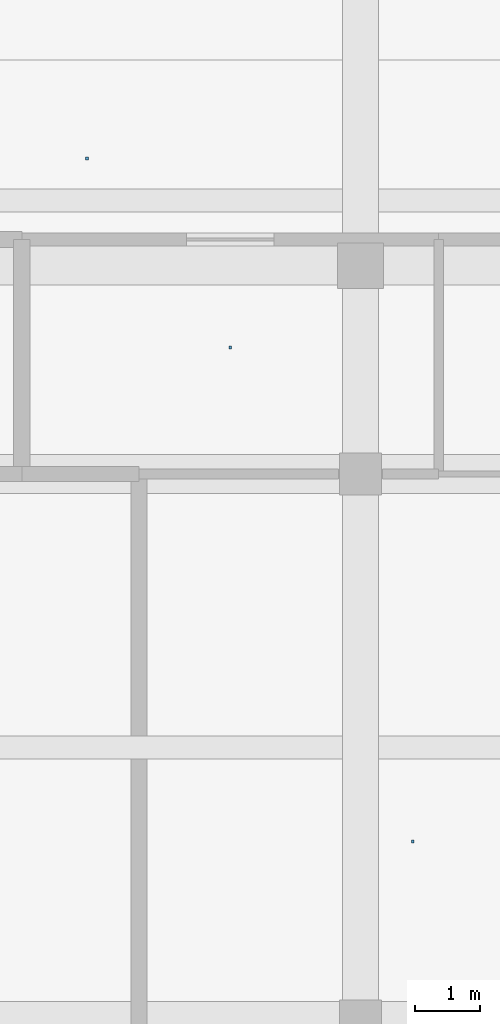
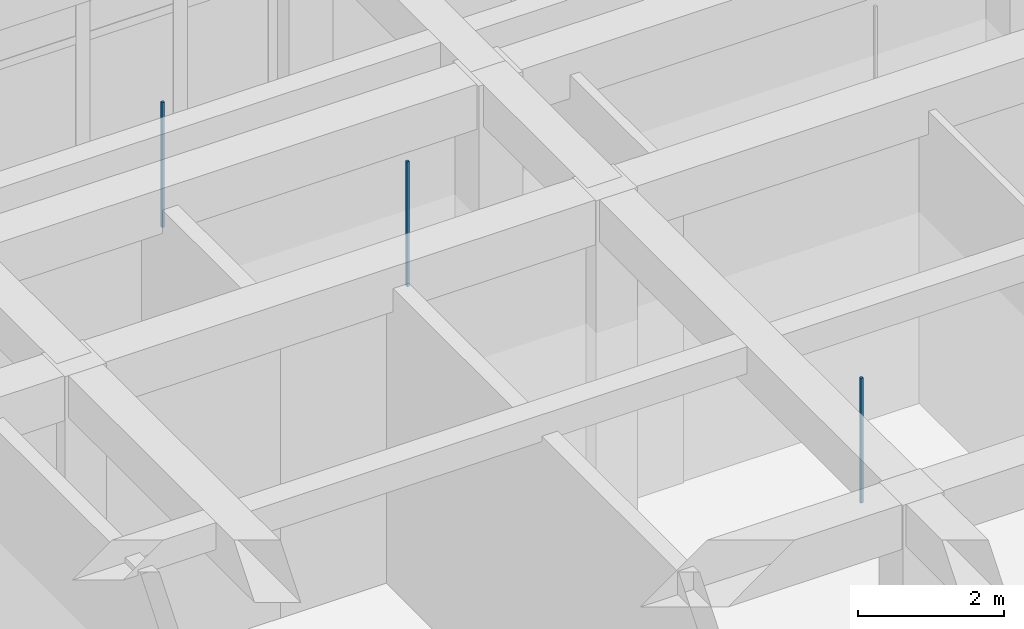
# One storey, part 115 of 167: 3 discrete accessories.
"""IFC4 building model written with IfcOpenShell, lengths in metres."""

from ifc_helpers import new_model, si_unit, direction, frame, origin, origin_2d, place, context, subcontext, project, spatial, rectangle, extrude, material, type_object, element, save


model = new_model("IFC4")

# Units and contexts
model_context = context("Model", 3, precision=1e-05, world=origin(), true_north=direction((0.0, 1.0)))
body_context = subcontext(model_context, "Body", "Model", "MODEL_VIEW")
ifc_project = project(units=[si_unit("LENGTHUNIT", "METRE"), si_unit("AREAUNIT", "SQUARE_METRE"), si_unit("VOLUMEUNIT", "CUBIC_METRE"), si_unit("PLANEANGLEUNIT", "RADIAN"), si_unit("MASSUNIT", "GRAM", prefix="KILO")], contexts=[model_context])

# Site, building, storey
site_placement = place(None, origin())
site = spatial("IfcSite", under=ifc_project, at=site_placement, CompositionType="ELEMENT")
building_placement = place(site_placement, origin())
building = spatial("IfcBuilding", under=site, at=building_placement, Name="Varncliffe General Hospital", CompositionType="ELEMENT")
storey_placement = place(building_placement, origin())
storey = spatial("IfcBuildingStorey", under=building, at=storey_placement, Name="L00", CompositionType="ELEMENT", Elevation=0.0)

# Discrete accessories
ifc_material = material(Name="Powder-coated hospital steel guardrail and handrail", Category="steel")
discrete_accessory_type = type_object("IfcDiscreteAccessoryType", Name="Suspended Ceiling Hanger Bracket CH01", PredefinedType="BRACKET", material=ifc_material)
for number, where, z_axis, x_axis, name in (
    (1, (88.199951171875, 104.445068359375, 3.18994140625), (0.0, 0.0, 1.0), (1.0, 0.0, 0.0), "L00 Suspended Ceiling Hanger 5"),
    (2, (93.199951171875, 93.95751953125, 3.18994140625), (0.0, 0.0, 1.0), (1.0, 0.0, 0.0), "L00 Suspended Ceiling Hanger 55"),
    (3, (90.39990234375, 101.54248046875, 3.18994140625), (0.0, 0.0, 1.0), (1.0, 0.0, 0.0), "L00 Suspended Ceiling Hanger 109"),
):
    element("IfcDiscreteAccessory", number, at=place(storey_placement, frame(where, z_axis=z_axis, x_axis=x_axis)), inside=storey, type_object=discrete_accessory_type, Name=name, PredefinedType="BRACKET", context=body_context, shape_type="SweptSolid", body=[
        extrude(rectangle(XDim=0.0400390625, YDim=0.0400390625, at=origin_2d()), origin(), (0.0, 0.0, 1.0), 2.090087890625),
    ])

save(model, "model.ifc")
